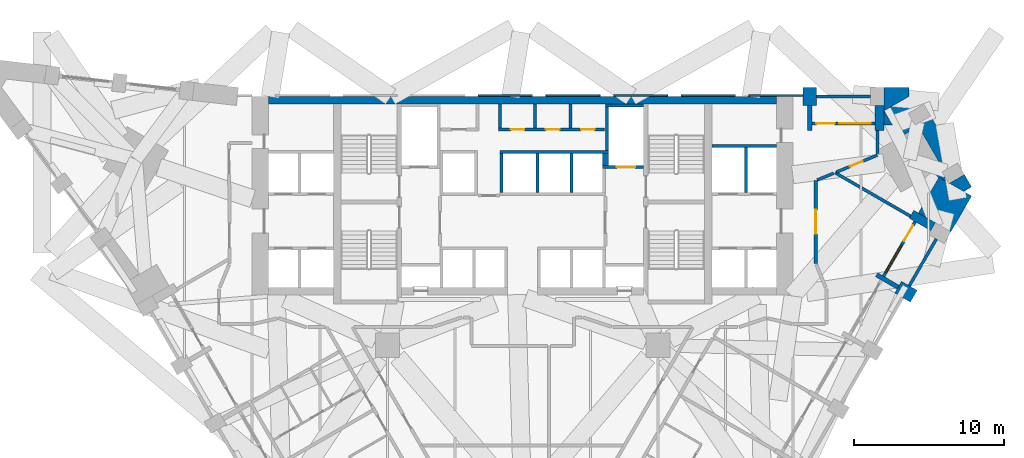
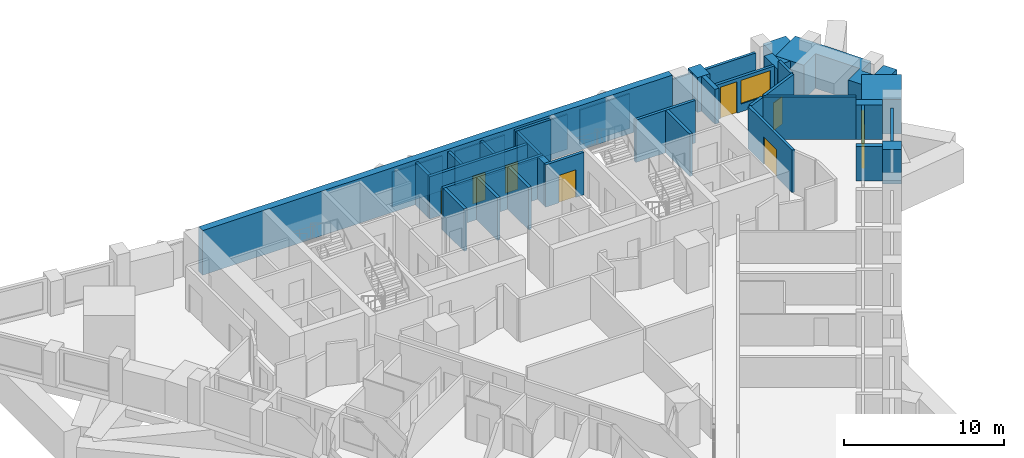
# One storey, part 10 of 12: 39 walls, 8 doors, 2 windows, 10 openings.
"""IFC4 building model written with IfcOpenShell, lengths in metres."""

from ifc_helpers import new_model, si_unit, direction, frame, frame_2d, origin, place, context, subcontext, project, spatial, polyline, rectangle, outline, extrude, material, layer, layer_set, type_object, element, fill, save


model = new_model("IFC4")

# Units and contexts
model_context = context("Model", 3, precision=1e-05, world=origin(), true_north=direction((0.0, 1.0)))
body_context = subcontext(model_context, "Body", "Model", "MODEL_VIEW")
ifc_project = project(units=[si_unit("LENGTHUNIT", "METRE"), si_unit("AREAUNIT", "SQUARE_METRE"), si_unit("VOLUMEUNIT", "CUBIC_METRE"), si_unit("PLANEANGLEUNIT", "RADIAN"), si_unit("MASSUNIT", "GRAM", prefix="KILO")], contexts=[model_context])

# Site, building, storey
site_placement = place(None, origin())
site = spatial("IfcSite", under=ifc_project, at=site_placement, CompositionType="ELEMENT")
building_placement = place(site_placement, origin())
building = spatial("IfcBuilding", under=site, at=building_placement, Name="Calabash Gate Tower", CompositionType="ELEMENT")
storey_placement = place(building_placement, frame((0.0, 0.0, 46.0)))
storey = spatial("IfcBuildingStorey", under=building, at=storey_placement, Name="L06", CompositionType="ELEMENT", Elevation=46.0)

# Walls
ifc_material_1 = material(Name="Terracotta brick masonry, exposed face", Category="masonry")
ifc_layer_1 = layer(ifc_material_1, 2.5)
ifc_layer_set_1 = layer_set([ifc_layer_1], Name="Brick corner mass wall 2500")
wall_type_1 = type_object("IfcWallType", Name="Brick corner mass wall 2500", PredefinedType="SOLIDWALL", material=ifc_layer_set_1)
wall_1_placement = place(storey_placement, origin())
element("IfcWall", 1, at=wall_1_placement, inside=storey, type_object=wall_type_1, Name="Brick corner pier S01 3a", PredefinedType="SOLIDWALL", context=body_context, shape_type="SweptSolid", body=[
    extrude(outline(polyline([(28.49462890625, 10.049072265625), (29.86962890625, 12.4306640625), (28.39990234375, 13.279052734375), (28.35546875, 13.253173828125), (28.310791015625, 13.33056640625), (27.70458984375, 13.6806640625), (26.32958984375, 11.299072265625), (28.49462890625, 10.049072265625)])), origin(), (0.0, 0.0, 1.0), 2.6298828125),
])
wall_2_placement = place(storey_placement, origin())
element("IfcWall", 2, at=wall_2_placement, inside=storey, type_object=wall_type_1, Name="Brick corner pier S01 3ba", PredefinedType="SOLIDWALL", context=body_context, shape_type="SweptSolid", body=[
    extrude(outline(polyline([(29.35009765625, 12.73046875), (29.86962890625, 13.030517578125), (29.39453125, 13.853271484375), (28.39990234375, 13.279052734375), (29.35009765625, 12.73046875)])), origin(), (0.0, 0.0, 1.0), 2.6298828125),
])
wall_3_placement = place(storey_placement, origin())
element("IfcWall", 3, at=wall_3_placement, inside=storey, type_object=wall_type_1, Name="Brick corner pier S01 3bb", PredefinedType="SOLIDWALL", context=body_context, shape_type="SweptSolid", body=[
    extrude(outline(polyline([(27.935546875, 14.28125), (26.679443359375, 13.55615234375), (27.156005859375, 12.73046875), (27.70458984375, 13.6806640625), (28.310791015625, 13.33056640625), (27.9052734375, 14.03271484375), (28.944580078125, 14.6328125), (26.2197265625, 19.3525390625), (24.054443359375, 18.1025390625), (25.079345703125, 16.327392578125), (26.335693359375, 17.052734375), (27.935546875, 14.28125)])), origin(), (0.0, 0.0, 1.0), 2.6298828125),
])
wall_4_placement = place(storey_placement, origin())
element("IfcWall", 4, at=wall_4_placement, inside=storey, type_object=wall_type_1, Name="Brick corner pier S01 3c", PredefinedType="SOLIDWALL", context=body_context, shape_type="SweptSolid", body=[
    extrude(outline(polyline([(24.050048828125, 19.652587890625), (24.050048828125, 17.152587890625), (24.60302734375, 17.152587890625), (24.054443359375, 18.1025390625), (25.699951171875, 19.052490234375), (25.699951171875, 19.652587890625), (24.050048828125, 19.652587890625)])), origin(), (0.0, 0.0, 1.0), 2.6298828125),
])
ifc_material_2 = material(Name="Terracotta brick masonry, exposed face", Category="masonry")
ifc_layer_2 = layer(ifc_material_2, 1.199951171875)
ifc_layer_set_2 = layer_set([ifc_layer_2], Name="Brick end wall 1200")
wall_type_2 = type_object("IfcWallType", Name="Brick end wall 1200", PredefinedType="SOLIDWALL", material=ifc_layer_set_2)
wall_5_placement = place(storey_placement, frame((26.01953125, 5.76220703125, 0.0), z_axis=(0.0, 0.0, 1.0), x_axis=(-0.866043267704, 0.499969057507, 0.0)))
element("IfcWall", 5, at=wall_5_placement, inside=storey, type_object=wall_type_2, Name="Brick pier S01 SE2.9", PredefinedType="SOLIDWALL", context=body_context, shape_type="SweptSolid", body=[
    extrude(rectangle(XDim=1.19970703125, YDim=0.89990234375, at=frame_2d((0.599853515625, 0.0))), origin(), (0.0, 0.0, 1.0), 2.6298828125),
])
wall_6_placement = place(storey_placement, origin())
element("IfcWall", 6, at=wall_6_placement, inside=storey, type_object=wall_type_2, Name="Brick pier S01 N4.1", PredefinedType="SOLIDWALL", context=body_context, shape_type="SweptSolid", body=[
    extrude(outline(polyline([(19.550048828125, 19.652587890625), (18.64990234375, 19.652587890625), (18.64990234375, 18.45263671875), (19.550048828125, 18.45263671875), (19.550048828125, 19.652587890625)])), origin(), (0.0, 0.0, 1.0), 2.64990234375),
])
ifc_material_3 = material(Name="Terracotta brick masonry, exposed face", Category="masonry")
ifc_layer_3 = layer(ifc_material_3, 0.300048828125)
ifc_layer_set_3 = layer_set([ifc_layer_3], Name="Brick loggia cheek wall 300")
wall_type_3 = type_object("IfcWallType", Name="Brick loggia cheek wall 300", PredefinedType="SOLIDWALL", material=ifc_layer_set_3)
wall_7_placement = place(storey_placement, frame((24.98046875, 6.362060546875, 0.0), z_axis=(0.0, 0.0, 1.0), x_axis=(-0.865976140824, 0.500085316245, 0.0)))
element("IfcWall", 7, at=wall_7_placement, inside=storey, type_object=wall_type_3, Name="Loggia cheek S01 SE2.9", PredefinedType="SOLIDWALL", context=body_context, shape_type="SweptSolid", body=[
    extrude(rectangle(XDim=1.650146484375, YDim=0.300048828125, at=frame_2d((0.8251953125, 0.0))), origin(), (0.0, 0.0, 1.0), 2.64990234375),
])
wall_8_placement = place(storey_placement, frame((25.87646484375, 11.214111328125, 0.0), z_axis=(0.0, 0.0, 1.0), x_axis=(0.866040211805, -0.499974350878, 0.0)))
element("IfcWall", 8, at=wall_8_placement, inside=storey, type_object=wall_type_3, Name="Loggia cheek S01 SE2.10", PredefinedType="SOLIDWALL", context=body_context, shape_type="SweptSolid", body=[
    extrude(rectangle(XDim=1.64990234375, YDim=0.60009765625, at=frame_2d((0.824951171875, 0.0))), origin(), (0.0, 0.0, 1.0), 2.64990234375),
])
wall_9_placement = place(storey_placement, origin())
element("IfcWall", 9, at=wall_9_placement, inside=storey, type_object=wall_type_3, Name="Loggia cheek S01 N4.0", PredefinedType="SOLIDWALL", context=body_context, shape_type="SweptSolid", body=[
    extrude(outline(polyline([(24.050048828125, 16.802490234375), (24.050048828125, 18.45263671875), (23.449951171875, 18.45263671875), (23.449951171875, 16.802490234375), (24.050048828125, 16.802490234375)])), origin(), (0.0, 0.0, 1.0), 2.6298828125),
])
wall_10_placement = place(storey_placement, origin())
element("IfcWall", 10, at=wall_10_placement, inside=storey, type_object=wall_type_3, Name="Loggia cheek S01 N4.1", PredefinedType="SOLIDWALL", context=body_context, shape_type="SweptSolid", body=[
    extrude(outline(polyline([(18.949951171875, 18.45263671875), (18.949951171875, 16.802490234375), (19.25, 16.802490234375), (19.25, 18.45263671875), (18.949951171875, 18.45263671875)])), origin(), (0.0, 0.0, 1.0), 2.64990234375),
])
ifc_material_4 = material(Name="Gypsum board on steel studs, mineral wool", Category="steel")
ifc_layer_4 = layer(ifc_material_4, 0.199951171875)
ifc_layer_set_4 = layer_set([ifc_layer_4], Name="Core partition 200 gypsum board")
wall_type_4 = type_object("IfcWallType", Name="Core partition 200 gypsum board", PredefinedType="PARTITIONING", material=ifc_layer_set_4)
for number, where, z_axis, x_axis, name in (
    (11, (-1.5, 16.95263671875, 0.0), (0.0, 0.0, 1.0), (0.0, 1.0, 0.0), "Core partition"),
    (12, (0.833251953125, 16.95263671875, 0.0), (0.0, 0.0, 1.0), (0.0, 1.0, 0.0), "Core partition"),
    (13, (3.166748046875, 16.95263671875, 0.0), (0.0, 0.0, 1.0), (0.0, 1.0, 0.0), "Core partition"),
):
    element("IfcWall", number, at=place(storey_placement, frame(where, z_axis=z_axis, x_axis=x_axis)), inside=storey, type_object=wall_type_4, Name=name, PredefinedType="PARTITIONING", context=body_context, shape_type="SweptSolid", body=[
        extrude(rectangle(XDim=1.599853515625, YDim=0.199951171875, at=frame_2d((0.7998046875, 0.0))), origin(), (0.0, 0.0, 1.0), 3.22998046875),
    ])
ifc_material_5 = material(Name="Concrete C80/95", Category="concrete")
ifc_layer_5 = layer(ifc_material_5, 0.5)
ifc_layer_set_5 = layer_set([ifc_layer_5], Name="Core wall 500 Concrete C80/95")
wall_type_5 = type_object("IfcWallType", Name="Core wall 500 Concrete C80/95", PredefinedType="SHEAR", material=ifc_layer_set_5)
wall_11_placement = place(storey_placement, frame((-16.89990234375, 18.802490234375, 0.0), z_axis=(0.0, 0.0, 1.0), x_axis=(1.0, 0.0, 0.0)))
element("IfcWall", 14, at=wall_11_placement, inside=storey, type_object=wall_type_5, Name="Core wall Z1-N L06", PredefinedType="SHEAR", context=body_context, shape_type="SweptSolid", body=[
    extrude(rectangle(XDim=33.7998046875, YDim=0.5, at=frame_2d((16.89990234375, 0.0))), origin(), (0.0, 0.0, 1.0), 3.39990234375),
])

# Wall, opening, door
ifc_material_6 = material(Name="Gypsum board on steel studs, mineral wool", Category="steel")
ifc_layer_6 = layer(ifc_material_6, 0.199951171875)
ifc_layer_set_6 = layer_set([ifc_layer_6], Name="Partition 200 gypsum board EI 60")
wall_type_6 = type_object("IfcWallType", Name="Partition 200 gypsum board EI 60", PredefinedType="PARTITIONING", material=ifc_layer_set_6)
wall_12_placement = place(storey_placement, frame((19.50048828125, 7.95263671875, 0.0), z_axis=(0.0, 0.0, 1.0), x_axis=(0.0, 1.0, 0.0)))
wall_12 = element("IfcWall", 15, at=wall_12_placement, inside=storey, type_object=wall_type_6, Name="Partition", PredefinedType="PARTITIONING", context=body_context, shape_type="SweptSolid", body=[
    extrude(rectangle(XDim=5.49951171875, YDim=0.199951171875, at=frame_2d((2.749755859375, 0.0))), origin(), (0.0, 0.0, 1.0), 3.22998046875),
])
opening_1_placement = place(wall_12_placement, frame((1.94970703125, 0.0, 0.0)))
opening_1 = element("IfcOpeningElement", 16, at=opening_1_placement, cuts=wall_12, Name="Opening 06-08-027", PredefinedType="OPENING", context=body_context, shape_type="SweptSolid", body=[
    extrude(rectangle(XDim=1.60009765625, YDim=2.10009765625, at=frame_2d((0.800048828125, 1.050048828125))), frame((0.0, 0.10986328125, 0.0), z_axis=(0.0, -1.0, 0.0), x_axis=(1.0, 0.0, 0.0)), (0.0, 0.0, 1.0), 0.219970703125),
])
ifc_material_7 = material(Name="Steel fire door set with fire-resisting glazing", Category="steel")
door_type_1 = type_object("IfcDoorType", Name="LD1 Lounge double door 1600x2100", OperationType="NOTDEFINED", PredefinedType="DOOR", material=ifc_material_7)
door_1_placement = place(opening_1_placement, origin())
door_1 = element("IfcDoor", 17, at=door_1_placement, inside=storey, type_object=door_type_1, Name="Lounge double door", OperationType="DOUBLE_DOOR_SINGLE_SWING", OverallHeight=2.10009765625, OverallWidth=1.60009765625, PredefinedType="DOOR", context=body_context, shape_type="SweptSolid", body=[
    extrude(rectangle(XDim=1.60009765625, YDim=2.10009765625, at=frame_2d((0.800048828125, 1.050048828125))), frame((0.0, 0.02490234375, 0.0), z_axis=(0.0, -1.0, 0.0), x_axis=(1.0, 0.0, 0.0)), (0.0, 0.0, 1.0), 0.050048828125),
])
fill(opening_1, door_1)

# Walls
wall_13_placement = place(storey_placement, frame((19.593017578125, 13.490478515625, 0.0), z_axis=(0.0, 0.0, 1.0), x_axis=(0.924174624958, 0.381970237825, 0.0)))
element("IfcWall", 18, at=wall_13_placement, inside=storey, type_object=wall_type_6, Name="Partition", PredefinedType="PARTITIONING", context=body_context, shape_type="SweptSolid", body=[
    extrude(rectangle(XDim=1.18701171875, YDim=0.199951171875, at=frame_2d((0.593505859375, 0.0))), origin(), (0.0, 0.0, 1.0), 3.22998046875),
])
wall_14_placement = place(storey_placement, frame((20.782958984375, 13.98388671875, 0.0), z_axis=(0.0, 0.0, 1.0), x_axis=(0.865879670097, -0.50025233324, 0.0)))
element("IfcWall", 19, at=wall_14_placement, inside=storey, type_object=wall_type_6, Name="Partition", PredefinedType="PARTITIONING", context=body_context, shape_type="SweptSolid", body=[
    extrude(rectangle(XDim=5.7958984375, YDim=0.199951171875, at=frame_2d((2.89794921875, 0.0))), origin(), (0.0, 0.0, 1.0), 3.22998046875),
])

# Wall, opening, door
wall_15_placement = place(storey_placement, frame((20.875, 14.0205078125, 0.0), z_axis=(0.0, 0.0, 1.0), x_axis=(0.923541353386, 0.383498850828, 0.0)))
wall_15 = element("IfcWall", 20, at=wall_15_placement, inside=storey, type_object=wall_type_6, Name="Partition", PredefinedType="PARTITIONING", context=body_context, shape_type="SweptSolid", body=[
    extrude(rectangle(XDim=2.95068359375, YDim=0.199951171875, at=frame_2d((1.475341796875, 0.0))), origin(), (0.0, 0.0, 1.0), 3.22998046875),
])
opening_2_placement = place(wall_15_placement, frame((0.974853515625, 0.0, 0.0)))
opening_2 = element("IfcOpeningElement", 21, at=opening_2_placement, cuts=wall_15, Name="Opening 06-08-028", PredefinedType="OPENING", context=body_context, shape_type="SweptSolid", body=[
    extrude(rectangle(XDim=0.89990234375, YDim=2.10009765625, at=frame_2d((0.449951171875, 1.050048828125))), frame((0.0, 0.10986328125, 0.0), z_axis=(0.0, -1.0, 0.0), x_axis=(1.0, 0.0, 0.0)), (0.0, 0.0, 1.0), 0.219970703125),
])
ifc_material_8 = material(Name="Steel fire door set with fire-resisting glazing", Category="steel")
door_type_2 = type_object("IfcDoorType", Name="SD3 Store door 900x2100", OperationType="NOTDEFINED", PredefinedType="DOOR", material=ifc_material_8)
door_2_placement = place(opening_2_placement, origin())
door_2 = element("IfcDoor", 22, at=door_2_placement, inside=storey, type_object=door_type_2, Name="Store door", OperationType="SINGLE_SWING_RIGHT", OverallHeight=2.10009765625, OverallWidth=0.89990234375, PredefinedType="DOOR", context=body_context, shape_type="SweptSolid", body=[
    extrude(rectangle(XDim=0.89990234375, YDim=2.10009765625, at=frame_2d((0.449951171875, 1.050048828125))), frame((0.0, 0.02490234375, 0.0), z_axis=(0.0, -1.0, 0.0), x_axis=(1.0, 0.0, 0.0)), (0.0, 0.0, 1.0), 0.050048828125),
])
fill(opening_2, door_2)

# Walls
wall_16_placement = place(storey_placement, frame((23.600341796875, 15.252197265625, 0.0), z_axis=(0.0, 0.0, 1.0), x_axis=(0.000157480313, 0.9999999876, 0.0)))
element("IfcWall", 23, at=wall_16_placement, inside=storey, type_object=wall_type_6, Name="Partition", PredefinedType="PARTITIONING", context=body_context, shape_type="SweptSolid", body=[
    extrude(rectangle(XDim=1.55029296875, YDim=0.199951171875, at=frame_2d((0.775146484375, 0.0))), origin(), (0.0, 0.0, 1.0), 3.22998046875),
])
ifc_material_9 = material(Name="Concrete C40/50", Category="concrete")
ifc_layer_7 = layer(ifc_material_9, 0.199951171875)
ifc_layer_set_7 = layer_set([ifc_layer_7], Name="Shaft wall 200 Concrete C40/50")
wall_type_7 = type_object("IfcWallType", Name="Shaft wall 200 Concrete C40/50", PredefinedType="SOLIDWALL", material=ifc_layer_set_7)
for number, where, z_axis, x_axis, name in (
    (24, (-1.39990234375, 12.652587890625, 0.0), (0.0, 0.0, 1.0), (0.0, 1.0, 0.0), "Shaft wall"),
    (25, (1.0, 12.652587890625, 0.0), (0.0, 0.0, 1.0), (0.0, 1.0, 0.0), "Shaft wall"),
    (26, (3.25, 12.652587890625, 0.0), (0.0, 0.0, 1.0), (0.0, 1.0, 0.0), "Shaft wall"),
):
    element("IfcWall", number, at=place(storey_placement, frame(where, z_axis=z_axis, x_axis=x_axis)), inside=storey, type_object=wall_type_7, Name=name, PredefinedType="SOLIDWALL", context=body_context, shape_type="SweptSolid", body=[
        extrude(rectangle(XDim=2.60009765625, YDim=0.199951171875, at=frame_2d((1.300048828125, 0.0))), origin(), (0.0, 0.0, 1.0), 3.22998046875),
    ])
wall_17_placement = place(storey_placement, frame((14.85009765625, 12.652587890625, 0.0), z_axis=(0.0, 0.0, 1.0), x_axis=(0.0, 1.0, 0.0)))
element("IfcWall", 27, at=wall_17_placement, inside=storey, type_object=wall_type_7, Name="Shaft wall", PredefinedType="SOLIDWALL", context=body_context, shape_type="SweptSolid", body=[
    extrude(rectangle(XDim=3.0, YDim=0.199951171875, at=frame_2d((1.5, 0.0))), origin(), (0.0, 0.0, 1.0), 3.22998046875),
])

# Wall, opening, door
wall_18_placement = place(storey_placement, frame((5.300048828125, 14.3525390625, 0.0), z_axis=(0.0, 0.0, 1.0), x_axis=(1.0, 0.0, 0.0)))
wall_18 = element("IfcWall", 28, at=wall_18_placement, inside=storey, type_object=wall_type_7, Name="Shaft wall", PredefinedType="SOLIDWALL", context=body_context, shape_type="SweptSolid", body=[
    extrude(rectangle(XDim=2.75, YDim=0.199951171875, at=frame_2d((1.375, 0.0))), origin(), (0.0, 0.0, 1.0), 3.22998046875),
])
opening_3_placement = place(wall_18_placement, frame((0.97509765625, 0.0, 0.0)))
opening_3 = element("IfcOpeningElement", 29, at=opening_3_placement, cuts=wall_18, Name="Opening LD-FF2", PredefinedType="OPENING", context=body_context, shape_type="SweptSolid", body=[
    extrude(rectangle(XDim=1.199951171875, YDim=2.10009765625, at=frame_2d((0.60009765625, 1.050048828125))), frame((0.0, 0.10986328125, 0.0), z_axis=(0.0, -1.0, 0.0), x_axis=(1.0, 0.0, 0.0)), (0.0, 0.0, 1.0), 0.219970703125),
])
ifc_material_10 = material(Name="Stainless steel sliding door leaves", Category="steel")
door_type_3 = type_object("IfcDoorType", Name="Lift landing door LS3 1200x2100 FD90", OperationType="DOUBLE_DOOR_SLIDING", PredefinedType="DOOR", material=ifc_material_10)
door_3_placement = place(opening_3_placement, origin())
door_3 = element("IfcDoor", 30, at=door_3_placement, inside=storey, type_object=door_type_3, Name="Lift landing door FF2", OperationType="DOUBLE_DOOR_SLIDING", OverallHeight=2.10009765625, OverallWidth=1.199951171875, PredefinedType="DOOR", context=body_context, shape_type="SweptSolid", body=[
    extrude(rectangle(XDim=1.199951171875, YDim=2.10009765625, at=frame_2d((0.60009765625, 1.050048828125))), frame((0.0, 0.02490234375, 0.0), z_axis=(0.0, -1.0, 0.0), x_axis=(1.0, 0.0, 0.0)), (0.0, 0.0, 1.0), 0.050048828125),
])
fill(opening_3, door_3)

# Walls
wall_19_placement = place(storey_placement, frame((5.5, 14.45263671875, 0.0), z_axis=(0.0, 0.0, 1.0), x_axis=(0.0, 1.0, 0.0)))
element("IfcWall", 31, at=wall_19_placement, inside=storey, type_object=wall_type_7, Name="Shaft wall", PredefinedType="SOLIDWALL", context=body_context, shape_type="SweptSolid", body=[
    extrude(rectangle(XDim=0.800048828125, YDim=0.39990234375, at=frame_2d((0.39990234375, 0.0))), origin(), (0.0, 0.0, 1.0), 3.22998046875),
])
wall_20_placement = place(storey_placement, frame((-1.5, 15.3525390625, 0.0), z_axis=(0.0, 0.0, 1.0), x_axis=(1.0, 0.0, 0.0)))
element("IfcWall", 32, at=wall_20_placement, inside=storey, type_object=wall_type_7, Name="Shaft wall", PredefinedType="SOLIDWALL", context=body_context, shape_type="SweptSolid", body=[
    extrude(rectangle(XDim=7.199951171875, YDim=0.199951171875, at=frame_2d((3.60009765625, 0.0))), origin(), (0.0, 0.0, 1.0), 3.22998046875),
])
wall_21_placement = place(storey_placement, frame((5.60009765625, 15.45263671875, 0.0), z_axis=(0.0, 0.0, 1.0), x_axis=(0.0, 1.0, 0.0)))
element("IfcWall", 33, at=wall_21_placement, inside=storey, type_object=wall_type_7, Name="Shaft wall", PredefinedType="SOLIDWALL", context=body_context, shape_type="SweptSolid", body=[
    extrude(rectangle(XDim=2.89990234375, YDim=0.199951171875, at=frame_2d((1.449951171875, 0.0))), origin(), (0.0, 0.0, 1.0), 3.22998046875),
])
wall_22_placement = place(storey_placement, frame((12.60009765625, 15.752685546875, 0.0), z_axis=(0.0, 0.0, 1.0), x_axis=(1.0, 0.0, 0.0)))
element("IfcWall", 34, at=wall_22_placement, inside=storey, type_object=wall_type_7, Name="Shaft wall", PredefinedType="SOLIDWALL", context=body_context, shape_type="SweptSolid", body=[
    extrude(rectangle(XDim=4.2998046875, YDim=0.199951171875, at=frame_2d((2.14990234375, 0.0))), origin(), (0.0, 0.0, 1.0), 3.22998046875),
])

# Wall, openings, doors
wall_23_placement = place(storey_placement, frame((-1.60009765625, 16.8525390625, 0.0), z_axis=(0.0, 0.0, 1.0), x_axis=(1.0, 0.0, 0.0)))
wall_23 = element("IfcWall", 35, at=wall_23_placement, inside=storey, type_object=wall_type_7, Name="Shaft wall", PredefinedType="SOLIDWALL", context=body_context, shape_type="SweptSolid", body=[
    extrude(rectangle(XDim=7.050048828125, YDim=0.199951171875, at=frame_2d((3.52490234375, 0.0))), origin(), (0.0, 0.0, 1.0), 3.22998046875),
])
opening_4_placement = place(wall_23_placement, frame((0.816650390625, 0.0, 0.0)))
opening_4 = element("IfcOpeningElement", 36, at=opening_4_placement, cuts=wall_23, Name="Opening H1-009", PredefinedType="OPENING", context=body_context, shape_type="SweptSolid", body=[
    extrude(rectangle(XDim=0.89990234375, YDim=2.10009765625, at=frame_2d((0.449951171875, 1.050048828125))), frame((0.0, 0.10986328125, 0.0), z_axis=(0.0, -1.0, 0.0), x_axis=(1.0, 0.0, 0.0)), (0.0, 0.0, 1.0), 0.219970703125),
])
opening_5_placement = place(wall_23_placement, frame((3.14990234375, 0.0, 0.0)))
opening_5 = element("IfcOpeningElement", 37, at=opening_5_placement, cuts=wall_23, Name="Opening H1-010", PredefinedType="OPENING", context=body_context, shape_type="SweptSolid", body=[
    extrude(rectangle(XDim=0.89990234375, YDim=2.10009765625, at=frame_2d((0.449951171875, 1.050048828125))), frame((0.0, 0.10986328125, 0.0), z_axis=(0.0, -1.0, 0.0), x_axis=(1.0, 0.0, 0.0)), (0.0, 0.0, 1.0), 0.219970703125),
])
opening_6_placement = place(wall_23_placement, frame((5.4833984375, 0.0, 0.0)))
opening_6 = element("IfcOpeningElement", 38, at=opening_6_placement, cuts=wall_23, Name="Opening H1-011", PredefinedType="OPENING", context=body_context, shape_type="SweptSolid", body=[
    extrude(rectangle(XDim=0.89990234375, YDim=2.10009765625, at=frame_2d((0.449951171875, 1.050048828125))), frame((0.0, 0.10986328125, 0.0), z_axis=(0.0, -1.0, 0.0), x_axis=(1.0, 0.0, 0.0)), (0.0, 0.0, 1.0), 0.219970703125),
])
ifc_material_11 = material(Name="Steel fire door set with fire-resisting glazing", Category="steel")
door_type_4 = type_object("IfcDoorType", Name="Fire door D06 900x2100 FD60", OperationType="NOTDEFINED", PredefinedType="DOOR", material=ifc_material_11)
door_4_placement = place(opening_4_placement, origin())
door_4 = element("IfcDoor", 39, at=door_4_placement, inside=storey, type_object=door_type_4, Name="Linen Store door", OperationType="SINGLE_SWING_LEFT", OverallHeight=2.10009765625, OverallWidth=0.89990234375, PredefinedType="DOOR", context=body_context, shape_type="SweptSolid", body=[
    extrude(rectangle(XDim=0.89990234375, YDim=2.10009765625, at=frame_2d((0.449951171875, 1.050048828125))), frame((0.0, 0.02490234375, 0.0), z_axis=(0.0, -1.0, 0.0), x_axis=(1.0, 0.0, 0.0)), (0.0, 0.0, 1.0), 0.050048828125),
])
fill(opening_4, door_4)
door_5_placement = place(opening_5_placement, origin())
door_5 = element("IfcDoor", 40, at=door_5_placement, inside=storey, type_object=door_type_4, Name="Ice and Vending door", OperationType="SINGLE_SWING_LEFT", OverallHeight=2.10009765625, OverallWidth=0.89990234375, PredefinedType="DOOR", context=body_context, shape_type="SweptSolid", body=[
    extrude(rectangle(XDim=0.89990234375, YDim=2.10009765625, at=frame_2d((0.449951171875, 1.050048828125))), frame((0.0, 0.02490234375, 0.0), z_axis=(0.0, -1.0, 0.0), x_axis=(1.0, 0.0, 0.0)), (0.0, 0.0, 1.0), 0.050048828125),
])
fill(opening_5, door_5)
door_6_placement = place(opening_6_placement, origin())
door_6 = element("IfcDoor", 41, at=door_6_placement, inside=storey, type_object=door_type_4, Name="Cleaner's Store door", OperationType="SINGLE_SWING_RIGHT", OverallHeight=2.10009765625, OverallWidth=0.89990234375, PredefinedType="DOOR", context=body_context, shape_type="SweptSolid", body=[
    extrude(rectangle(XDim=0.89990234375, YDim=2.10009765625, at=frame_2d((0.449951171875, 1.050048828125))), frame((0.0, 0.02490234375, 0.0), z_axis=(0.0, -1.0, 0.0), x_axis=(1.0, 0.0, 0.0)), (0.0, 0.0, 1.0), 0.050048828125),
])
fill(opening_6, door_6)

# Walls
wall_24_placement = place(storey_placement, frame((5.5, 18.45263671875, 0.0), z_axis=(0.0, 0.0, 1.0), x_axis=(1.0, 0.0, 0.0)))
element("IfcWall", 42, at=wall_24_placement, inside=storey, type_object=wall_type_7, Name="Shaft wall", PredefinedType="SOLIDWALL", context=body_context, shape_type="SweptSolid", body=[
    extrude(rectangle(XDim=2.550048828125, YDim=0.199951171875, at=frame_2d((1.27490234375, 0.0))), origin(), (0.0, 0.0, 1.0), 3.22998046875),
])
ifc_material_12 = material(Name="Terracotta brick masonry, perforated", Category="masonry")
ifc_layer_8 = layer(ifc_material_12, 0.1201171875)
ifc_layer_set_8 = layer_set([ifc_layer_8], Name="Terracotta jaali cladding A 120")
wall_type_8 = type_object("IfcWallType", Name="Terracotta jaali cladding A 120", PredefinedType="SOLIDWALL", material=ifc_layer_set_8)
wall_25_placement = place(storey_placement, origin())
element("IfcWall", 43, at=wall_25_placement, inside=storey, type_object=wall_type_8, Name="Jaali cladding S01 N4.3", PredefinedType="SOLIDWALL", context=body_context, shape_type="SweptSolid", body=[
    extrude(outline(polyline([(10.550048828125, 19.172607421875), (10.550048828125, 19.052490234375), (14.14990234375, 19.052490234375), (14.14990234375, 19.172607421875), (10.550048828125, 19.172607421875)])), origin(), (0.0, 0.0, 1.0), 2.64990234375),
])
wall_26_placement = place(storey_placement, origin())
element("IfcWall", 44, at=wall_26_placement, inside=storey, type_object=wall_type_8, Name="Jaali cladding S01 N4.5", PredefinedType="SOLIDWALL", context=body_context, shape_type="SweptSolid", body=[
    extrude(outline(polyline([(1.550048828125, 19.172607421875), (1.550048828125, 19.052490234375), (5.14990234375, 19.052490234375), (5.14990234375, 19.172607421875), (1.550048828125, 19.172607421875)])), origin(), (0.0, 0.0, 1.0), 2.64990234375),
])
ifc_material_13 = material(Name="Terracotta brick masonry, perforated", Category="masonry")
ifc_layer_9 = layer(ifc_material_13, 0.199951171875)
ifc_layer_set_9 = layer_set([ifc_layer_9], Name="Terracotta jaali screen A")
wall_type_9 = type_object("IfcWallType", Name="Terracotta jaali screen A", PredefinedType="SOLIDWALL", material=ifc_layer_set_9)
wall_27_placement = place(storey_placement, frame((25.72509765625, 6.451904296875, 0.0), z_axis=(0.0, 0.0, 1.0), x_axis=(0.499961193289, 0.866047807691, 0.0)))
element("IfcWall", 45, at=wall_27_placement, inside=storey, type_object=wall_type_9, Name="SCREEN A S01 SE2.10", PredefinedType="SOLIDWALL", context=body_context, shape_type="SweptSolid", body=[
    extrude(rectangle(XDim=3.599853515625, YDim=0.199951171875, at=frame_2d((1.7998046875, 0.0))), origin(), (0.0, 0.0, 1.0), 2.6298828125),
])
wall_28_placement = place(storey_placement, frame((23.14990234375, 19.052490234375, 0.0), z_axis=(0.0, 0.0, 1.0), x_axis=(-1.0, 0.0, 0.0)))
element("IfcWall", 46, at=wall_28_placement, inside=storey, type_object=wall_type_9, Name="SCREEN A S01 N4.1", PredefinedType="SOLIDWALL", context=body_context, shape_type="SweptSolid", body=[
    extrude(rectangle(XDim=3.599853515625, YDim=0.199951171875, at=frame_2d((1.7998046875, 0.0))), origin(), (0.0, 0.0, 1.0), 2.64990234375),
])
ifc_material_14 = material(Name="Terracotta louvre blades in an aluminium frame", Category="masonry")
ifc_layer_10 = layer(ifc_material_14, 0.1201171875)
ifc_layer_set_10 = layer_set([ifc_layer_10], Name="Terracotta vent louvre cladding 120")
wall_type_10 = type_object("IfcWallType", Name="Terracotta vent louvre cladding 120", PredefinedType="ELEMENTEDWALL", material=ifc_layer_set_10)
wall_29_placement = place(storey_placement, origin())
element("IfcWall", 47, at=wall_29_placement, inside=storey, type_object=wall_type_10, Name="Vent louvre cladding S01 N4.2", PredefinedType="ELEMENTEDWALL", context=body_context, shape_type="SweptSolid", body=[
    extrude(outline(polyline([(15.050048828125, 19.172607421875), (15.050048828125, 19.052490234375), (18.6494140625, 19.052490234375), (18.6494140625, 19.172607421875), (15.050048828125, 19.172607421875)])), origin(), (0.0, 0.0, 1.0), 2.64990234375),
])
wall_30_placement = place(storey_placement, origin())
element("IfcWall", 48, at=wall_30_placement, inside=storey, type_object=wall_type_10, Name="Vent louvre cladding S01 N4.4", PredefinedType="ELEMENTEDWALL", context=body_context, shape_type="SweptSolid", body=[
    extrude(outline(polyline([(6.050048828125, 19.172607421875), (6.050048828125, 19.052490234375), (9.64990234375, 19.052490234375), (9.64990234375, 19.172607421875), (6.050048828125, 19.172607421875)])), origin(), (0.0, 0.0, 1.0), 2.64990234375),
])
wall_31_placement = place(storey_placement, origin())
element("IfcWall", 49, at=wall_31_placement, inside=storey, type_object=wall_type_10, Name="Vent louvre cladding S01 N4.6", PredefinedType="ELEMENTEDWALL", context=body_context, shape_type="SweptSolid", body=[
    extrude(outline(polyline([(-2.949951171875, 19.172607421875), (-2.949951171875, 19.052490234375), (0.64990234375, 19.052490234375), (0.64990234375, 19.172607421875), (-2.949951171875, 19.172607421875)])), origin(), (0.0, 0.0, 1.0), 2.64990234375),
])

# Wall, openings, door, window
ifc_material_15 = material(Name="Aluminium framed window wall with insulated spandrel", Category="aluminium")
ifc_layer_11 = layer(ifc_material_15, 0.199951171875)
ifc_layer_set_11 = layer_set([ifc_layer_11], Name="Window wall 200")
wall_type_11 = type_object("IfcWallType", Name="Window wall 200", PredefinedType="ELEMENTEDWALL", material=ifc_layer_set_11)
wall_32_placement = place(storey_placement, frame((24.01611328125, 7.092041015625, 0.0), z_axis=(0.0, 0.0, 1.0), x_axis=(0.500002543286, 0.866023935413, 0.0)))
wall_32 = element("IfcWall", 50, at=wall_32_placement, inside=storey, type_object=wall_type_11, Name="Window wall S01 SE2.10", PredefinedType="ELEMENTEDWALL", context=body_context, shape_type="SweptSolid", body=[
    extrude(rectangle(XDim=4.2001953125, YDim=0.199951171875, at=frame_2d((2.10009765625, 0.0))), origin(), (0.0, 0.0, 1.0), 2.64990234375),
])
opening_7_placement = place(wall_32_placement, frame((0.300048828125, 0.0, 0.60009765625)))
opening_7 = element("IfcOpeningElement", 51, at=opening_7_placement, cuts=wall_32, Name="Opening HW1", PredefinedType="OPENING", context=body_context, shape_type="SweptSolid", body=[
    extrude(rectangle(XDim=2.10009765625, YDim=1.800048828125, at=frame_2d((1.050048828125, 0.89990234375))), frame((0.0, 0.10986328125, 0.0), z_axis=(0.0, -1.0, 0.0), x_axis=(1.0, 0.0, 0.0)), (0.0, 0.0, 1.0), 0.219970703125),
])
opening_8_placement = place(wall_32_placement, frame((2.699951171875, 0.0, 0.0)))
opening_8 = element("IfcOpeningElement", 52, at=opening_8_placement, cuts=wall_32, Name="Opening H1-024", PredefinedType="OPENING", context=body_context, shape_type="SweptSolid", body=[
    extrude(rectangle(XDim=1.199951171875, YDim=2.39990234375, at=frame_2d((0.60009765625, 1.199951171875))), frame((0.0, 0.10986328125, 0.0), z_axis=(0.0, -1.0, 0.0), x_axis=(1.0, 0.0, 0.0)), (0.0, 0.0, 1.0), 0.219970703125),
])
ifc_material_16 = material(Name="Anodised aluminium frame, bronze finish, impact-rated laminated clear glazing", Category="aluminium")
door_type_5 = type_object("IfcDoorType", Name="Loggia door DH1 1200x2400", OperationType="SLIDING_TO_LEFT", PredefinedType="DOOR", material=ifc_material_16)
door_7_placement = place(opening_8_placement, origin())
door_7 = element("IfcDoor", 53, at=door_7_placement, inside=storey, type_object=door_type_5, Name="Loggia door S01 SE2.10", OperationType="SINGLE_SWING_LEFT", OverallHeight=2.39990234375, OverallWidth=1.199951171875, PredefinedType="DOOR", context=body_context, shape_type="SweptSolid", body=[
    extrude(rectangle(XDim=1.199951171875, YDim=2.39990234375, at=frame_2d((0.60009765625, 1.199951171875))), frame((0.0, 0.02490234375, 0.0), z_axis=(0.0, -1.0, 0.0), x_axis=(1.0, 0.0, 0.0)), (0.0, 0.0, 1.0), 0.050048828125),
])
fill(opening_8, door_7)
ifc_material_17 = material(Name="Anodised aluminium frame, bronze finish, impact-rated laminated clear glazing", Category="aluminium")
window_type = type_object("IfcWindowType", Name="Window HW1 2100x1800", PartitioningType="DOUBLE_PANEL_VERTICAL", PredefinedType="WINDOW", material=ifc_material_17)
window_1_placement = place(opening_7_placement, origin())
window_1 = element("IfcWindow", 54, at=window_1_placement, inside=storey, type_object=window_type, Name="Window HW1 S01 SE2.10", OverallHeight=1.800048828125, OverallWidth=2.10009765625, PartitioningType="SINGLE_PANEL", PredefinedType="WINDOW", context=body_context, shape_type="SweptSolid", body=[
    extrude(rectangle(XDim=2.10009765625, YDim=1.800048828125, at=frame_2d((1.050048828125, 0.89990234375))), frame((0.0, 0.030029296875, 0.0), z_axis=(0.0, -1.0, 0.0), x_axis=(1.0, 0.0, 0.0)), (0.0, 0.0, 1.0), 0.06005859375),
])
fill(opening_7, window_1)

wall_33_placement = place(storey_placement, frame((23.449951171875, 17.25244140625, 0.0), z_axis=(0.0, 0.0, 1.0), x_axis=(-1.0, 0.0, 0.0)))
wall_33 = element("IfcWall", 55, at=wall_33_placement, inside=storey, type_object=wall_type_11, Name="Window wall S01 N4.1", PredefinedType="ELEMENTEDWALL", context=body_context, shape_type="SweptSolid", body=[
    extrude(rectangle(XDim=4.199951171875, YDim=0.199951171875, at=frame_2d((2.10009765625, 0.0))), origin(), (0.0, 0.0, 1.0), 2.64990234375),
])
opening_9_placement = place(wall_33_placement, frame((0.300048828125, 0.0, 0.60009765625)))
opening_9 = element("IfcOpeningElement", 56, at=opening_9_placement, cuts=wall_33, Name="Opening HW1", PredefinedType="OPENING", context=body_context, shape_type="SweptSolid", body=[
    extrude(rectangle(XDim=2.10009765625, YDim=1.800048828125, at=frame_2d((1.050048828125, 0.89990234375))), frame((0.0, 0.10986328125, 0.0), z_axis=(0.0, -1.0, 0.0), x_axis=(1.0, 0.0, 0.0)), (0.0, 0.0, 1.0), 0.219970703125),
])
opening_10_placement = place(wall_33_placement, frame((2.699951171875, 0.0, 0.0)))
opening_10 = element("IfcOpeningElement", 57, at=opening_10_placement, cuts=wall_33, Name="Opening H1-018", PredefinedType="OPENING", context=body_context, shape_type="SweptSolid", body=[
    extrude(rectangle(XDim=1.199951171875, YDim=2.39990234375, at=frame_2d((0.60009765625, 1.199951171875))), frame((0.0, 0.10986328125, 0.0), z_axis=(0.0, -1.0, 0.0), x_axis=(1.0, 0.0, 0.0)), (0.0, 0.0, 1.0), 0.219970703125),
])
door_8_placement = place(opening_10_placement, origin())
door_8 = element("IfcDoor", 58, at=door_8_placement, inside=storey, type_object=door_type_5, Name="Loggia door S01 N4.1", OperationType="SINGLE_SWING_LEFT", OverallHeight=2.39990234375, OverallWidth=1.199951171875, PredefinedType="DOOR", context=body_context, shape_type="SweptSolid", body=[
    extrude(rectangle(XDim=1.199951171875, YDim=2.39990234375, at=frame_2d((0.60009765625, 1.199951171875))), frame((0.0, 0.02490234375, 0.0), z_axis=(0.0, -1.0, 0.0), x_axis=(1.0, 0.0, 0.0)), (0.0, 0.0, 1.0), 0.050048828125),
])
fill(opening_10, door_8)
window_2_placement = place(opening_9_placement, origin())
window_2 = element("IfcWindow", 59, at=window_2_placement, inside=storey, type_object=window_type, Name="Window HW1 S01 N4.1", OverallHeight=1.800048828125, OverallWidth=2.10009765625, PartitioningType="SINGLE_PANEL", PredefinedType="WINDOW", context=body_context, shape_type="SweptSolid", body=[
    extrude(rectangle(XDim=2.10009765625, YDim=1.800048828125, at=frame_2d((1.050048828125, 0.89990234375))), frame((0.0, 0.030029296875, 0.0), z_axis=(0.0, -1.0, 0.0), x_axis=(1.0, 0.0, 0.0)), (0.0, 0.0, 1.0), 0.06005859375),
])
fill(opening_9, window_2)

save(model, "model.ifc")
